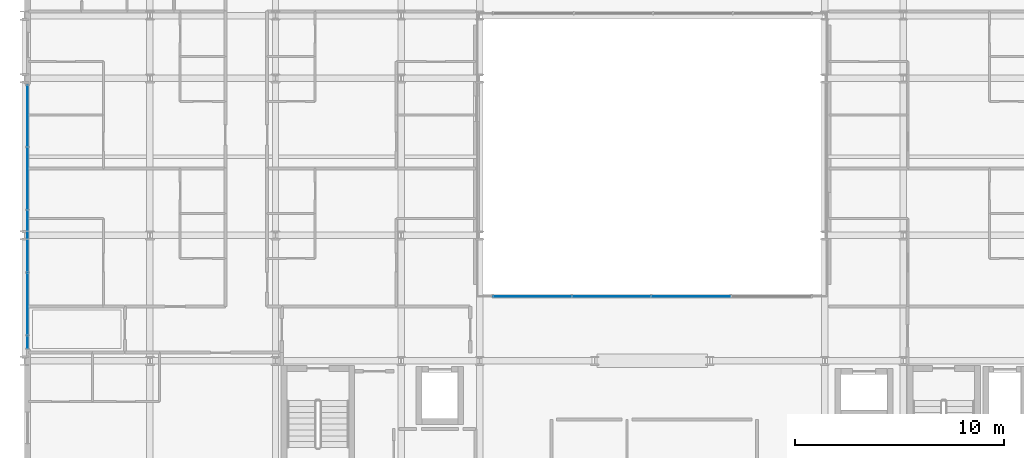
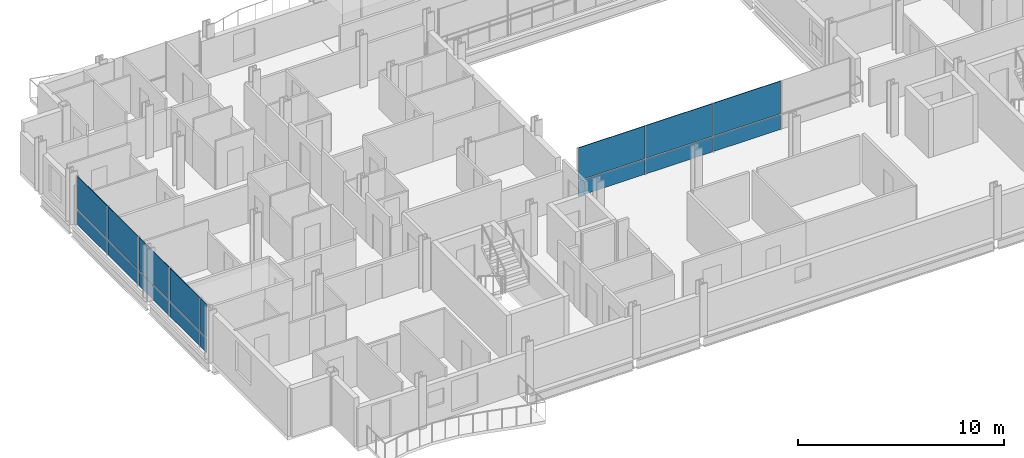
# One storey, part 26 of 40: 16 plates, 2 elements without a shape of their own.
"""IFC4 building model written with IfcOpenShell, lengths in metres."""

from ifc_helpers import new_model, si_unit, direction, frame, origin, origin_2d, place, context, subcontext, project, spatial, rectangle, extrude, material, layer, layer_set, type_object, element, aggregate, save


model = new_model("IFC4")

# Units and contexts
model_context = context("Model", 3, precision=1e-05, world=origin(), true_north=direction((0.0, 1.0)))
body_context = subcontext(model_context, "Body", "Model", "MODEL_VIEW")
ifc_project = project(units=[si_unit("LENGTHUNIT", "METRE"), si_unit("AREAUNIT", "SQUARE_METRE"), si_unit("VOLUMEUNIT", "CUBIC_METRE"), si_unit("PLANEANGLEUNIT", "RADIAN"), si_unit("MASSUNIT", "GRAM", prefix="KILO")], contexts=[model_context])

# Site, building, storey
site_placement = place(None, origin())
site = spatial("IfcSite", under=ifc_project, at=site_placement, CompositionType="ELEMENT")
building_placement = place(site_placement, origin())
building = spatial("IfcBuilding", under=site, at=building_placement, Name="Brevholm Reach", CompositionType="ELEMENT")
storey_placement = place(building_placement, frame((0.0, 0.0, 80.699951171875)))
storey = spatial("IfcBuildingStorey", under=building, at=storey_placement, Name="L23", CompositionType="ELEMENT", Elevation=80.699951171875)

# Curtain wall, plates
ifc_material_1 = material(Name="Dark Anodised Aluminium 6063-T6 and Solar-Control Glass", Category="aluminium")
ifc_layer_1 = layer(ifc_material_1, 0.14990234375)
ifc_layer_set_1 = layer_set([ifc_layer_1], Name="Dark Anodised Aluminium 6063-T6 and Solar-Control Glass")
curtain_wall_type_1 = type_object("IfcCurtainWallType", Name="CW-01", PredefinedType="NOTDEFINED", material=ifc_layer_set_1)
curtain_wall_1_placement = place(storey_placement, origin())
curtain_wall_1 = element("IfcCurtainWall", 1, at=curtain_wall_1_placement, inside=storey, type_object=curtain_wall_type_1, Name="L23 Curtain Wall CW-01", PredefinedType="NOTDEFINED")
ifc_material_2 = material(Name="Dark Solar-Control Double-Glazed IGU Glass", Category="glass")
ifc_layer_2 = layer(ifc_material_2, 0.028076171875)
ifc_layer_set_2 = layer_set([ifc_layer_2], Name="Dark Solar-Control Double-Glazed IGU Glass")
plate_type_1 = type_object("IfcPlateType", Name="CWP-GLZ-28", PredefinedType="CURTAIN_PANEL", material=ifc_layer_set_2)
plate_1_placement = place(storey_placement, frame((0.14990234375, 21.703857421875, 0.0), z_axis=(0.0, 0.0, 1.0), x_axis=(0.0, -1.0, 0.0)))
plate_1 = element("IfcPlate", 2, at=plate_1_placement, type_object=plate_type_1, Name="CP-01 Glazing Panel 1.1", PredefinedType="CURTAIN_PANEL", context=body_context, shape_type="SweptSolid", body=[
    extrude(rectangle(XDim=2.902587890625, YDim=0.028076171875, at=origin_2d()), origin(), (0.0, 0.0, 1.0), 0.867431640625),
])
plate_2_placement = place(storey_placement, frame((0.14990234375, 21.703857421875, 0.9326171875), z_axis=(0.0, 0.0, 1.0), x_axis=(0.0, -1.0, 0.0)))
plate_2 = element("IfcPlate", 3, at=plate_2_placement, type_object=plate_type_1, Name="CP-01 Glazing Panel 1.2", PredefinedType="CURTAIN_PANEL", context=body_context, shape_type="SweptSolid", body=[
    extrude(rectangle(XDim=2.902587890625, YDim=0.028076171875, at=origin_2d()), origin(), (0.0, 0.0, 1.0), 1.9375),
])
plate_3_placement = place(storey_placement, frame((0.14990234375, 18.719970703125, 0.0), z_axis=(0.0, 0.0, 1.0), x_axis=(0.0, -1.0, 0.0)))
plate_3 = element("IfcPlate", 4, at=plate_3_placement, type_object=plate_type_1, Name="CP-01 Glazing Panel 2.1", PredefinedType="CURTAIN_PANEL", context=body_context, shape_type="SweptSolid", body=[
    extrude(rectangle(XDim=2.93505859375, YDim=0.028076171875, at=origin_2d()), origin(), (0.0, 0.0, 1.0), 0.867431640625),
])
plate_4_placement = place(storey_placement, frame((0.14990234375, 18.719970703125, 0.9326171875), z_axis=(0.0, 0.0, 1.0), x_axis=(0.0, -1.0, 0.0)))
plate_4 = element("IfcPlate", 5, at=plate_4_placement, type_object=plate_type_1, Name="CP-01 Glazing Panel 2.2", PredefinedType="CURTAIN_PANEL", context=body_context, shape_type="SweptSolid", body=[
    extrude(rectangle(XDim=2.93505859375, YDim=0.028076171875, at=origin_2d()), origin(), (0.0, 0.0, 1.0), 1.9375),
])
plate_5_placement = place(storey_placement, frame((0.14990234375, 15.719970703125, 0.0), z_axis=(0.0, 0.0, 1.0), x_axis=(0.0, -1.0, 0.0)))
plate_5 = element("IfcPlate", 6, at=plate_5_placement, type_object=plate_type_1, Name="CP-01 Glazing Panel 3.1", PredefinedType="CURTAIN_PANEL", context=body_context, shape_type="SweptSolid", body=[
    extrude(rectangle(XDim=2.93505859375, YDim=0.028076171875, at=origin_2d()), origin(), (0.0, 0.0, 1.0), 0.867431640625),
])
plate_6_placement = place(storey_placement, frame((0.14990234375, 15.719970703125, 0.9326171875), z_axis=(0.0, 0.0, 1.0), x_axis=(0.0, -1.0, 0.0)))
plate_6 = element("IfcPlate", 7, at=plate_6_placement, type_object=plate_type_1, Name="CP-01 Glazing Panel 3.2", PredefinedType="CURTAIN_PANEL", context=body_context, shape_type="SweptSolid", body=[
    extrude(rectangle(XDim=2.93505859375, YDim=0.028076171875, at=origin_2d()), origin(), (0.0, 0.0, 1.0), 1.9375),
])
plate_7_placement = place(storey_placement, frame((0.14990234375, 12.719970703125, 0.0), z_axis=(0.0, 0.0, 1.0), x_axis=(0.0, -1.0, 0.0)))
plate_7 = element("IfcPlate", 8, at=plate_7_placement, type_object=plate_type_1, Name="CP-01 Glazing Panel 4.1", PredefinedType="CURTAIN_PANEL", context=body_context, shape_type="SweptSolid", body=[
    extrude(rectangle(XDim=2.93505859375, YDim=0.028076171875, at=origin_2d()), origin(), (0.0, 0.0, 1.0), 0.867431640625),
])
plate_8_placement = place(storey_placement, frame((0.14990234375, 12.719970703125, 0.9326171875), z_axis=(0.0, 0.0, 1.0), x_axis=(0.0, -1.0, 0.0)))
plate_8 = element("IfcPlate", 9, at=plate_8_placement, type_object=plate_type_1, Name="CP-01 Glazing Panel 4.2", PredefinedType="CURTAIN_PANEL", context=body_context, shape_type="SweptSolid", body=[
    extrude(rectangle(XDim=2.93505859375, YDim=0.028076171875, at=origin_2d()), origin(), (0.0, 0.0, 1.0), 1.9375),
])
plate_9_placement = place(storey_placement, frame((0.14990234375, 10.9013671875, 0.0), z_axis=(0.0, 0.0, 1.0), x_axis=(0.0, -1.0, 0.0)))
plate_9 = element("IfcPlate", 10, at=plate_9_placement, type_object=plate_type_1, Name="CP-01 Glazing Panel 5.1", PredefinedType="CURTAIN_PANEL", context=body_context, shape_type="SweptSolid", body=[
    extrude(rectangle(XDim=0.572509765625, YDim=0.028076171875, at=origin_2d()), origin(), (0.0, 0.0, 1.0), 0.867431640625),
])
plate_10_placement = place(storey_placement, frame((0.14990234375, 10.9013671875, 0.9326171875), z_axis=(0.0, 0.0, 1.0), x_axis=(0.0, -1.0, 0.0)))
plate_10 = element("IfcPlate", 11, at=plate_10_placement, type_object=plate_type_1, Name="CP-01 Glazing Panel 5.2", PredefinedType="CURTAIN_PANEL", context=body_context, shape_type="SweptSolid", body=[
    extrude(rectangle(XDim=0.572509765625, YDim=0.028076171875, at=origin_2d()), origin(), (0.0, 0.0, 1.0), 1.9375),
])
aggregate(curtain_wall_1, [plate_1, plate_2, plate_3, plate_4, plate_5, plate_6, plate_7, plate_8, plate_9, plate_10])

ifc_material_3 = material(Name="Dark Anodised Aluminium 6063-T6 and Solar-Control Glass", Category="aluminium")
ifc_layer_3 = layer(ifc_material_3, 0.139892578125)
ifc_layer_set_3 = layer_set([ifc_layer_3], Name="Dark Anodised Aluminium 6063-T6 and Solar-Control Glass")
curtain_wall_type_2 = type_object("IfcCurtainWallType", Name="CW-02", PredefinedType="NOTDEFINED", material=ifc_layer_set_3)
curtain_wall_2_placement = place(storey_placement, origin())
curtain_wall_2 = element("IfcCurtainWall", 12, at=curtain_wall_2_placement, inside=storey, type_object=curtain_wall_type_2, Name="L23 Curtain Wall CW-02", PredefinedType="NOTDEFINED")
ifc_material_4 = material(Name="Low-Iron Laminated Acoustic Glass", Category="glass")
ifc_layer_4 = layer(ifc_material_4, 0.035888671875)
ifc_layer_set_4 = layer_set([ifc_layer_4], Name="Low-Iron Laminated Acoustic Glass")
plate_type_2 = type_object("IfcPlateType", Name="CWP-GLZ-36", PredefinedType="CURTAIN_PANEL", material=ifc_layer_set_4)
plate_11_placement = place(storey_placement, frame((24.264892578125, 13.080078125, 0.0), z_axis=(0.0, 0.0, 1.0), x_axis=(1.0, 0.0, 0.0)))
plate_11 = element("IfcPlate", 13, at=plate_11_placement, type_object=plate_type_2, Name="CP-02 Glazing Panel 1.1", PredefinedType="CURTAIN_PANEL", context=body_context, shape_type="SweptSolid", body=[
    extrude(rectangle(XDim=3.7099609375, YDim=0.035888671875, at=origin_2d()), origin(), (0.0, 0.0, 1.0), 0.8701171875),
])
plate_12_placement = place(storey_placement, frame((24.264892578125, 13.080078125, 0.93017578125), z_axis=(0.0, 0.0, 1.0), x_axis=(1.0, 0.0, 0.0)))
plate_12 = element("IfcPlate", 14, at=plate_12_placement, type_object=plate_type_2, Name="CP-02 Glazing Panel 1.2", PredefinedType="CURTAIN_PANEL", context=body_context, shape_type="SweptSolid", body=[
    extrude(rectangle(XDim=3.7099609375, YDim=0.035888671875, at=origin_2d()), origin(), (0.0, 0.0, 1.0), 1.93994140625),
])
plate_13_placement = place(storey_placement, frame((28.050048828125, 13.080078125, 0.0), z_axis=(0.0, 0.0, 1.0), x_axis=(1.0, 0.0, 0.0)))
plate_13 = element("IfcPlate", 15, at=plate_13_placement, type_object=plate_type_2, Name="CP-02 Glazing Panel 2.1", PredefinedType="CURTAIN_PANEL", context=body_context, shape_type="SweptSolid", body=[
    extrude(rectangle(XDim=3.739990234375, YDim=0.035888671875, at=origin_2d()), origin(), (0.0, 0.0, 1.0), 0.8701171875),
])
plate_14_placement = place(storey_placement, frame((28.050048828125, 13.080078125, 0.93017578125), z_axis=(0.0, 0.0, 1.0), x_axis=(1.0, 0.0, 0.0)))
plate_14 = element("IfcPlate", 16, at=plate_14_placement, type_object=plate_type_2, Name="CP-02 Glazing Panel 2.2", PredefinedType="CURTAIN_PANEL", context=body_context, shape_type="SweptSolid", body=[
    extrude(rectangle(XDim=3.739990234375, YDim=0.035888671875, at=origin_2d()), origin(), (0.0, 0.0, 1.0), 1.93994140625),
])
plate_15_placement = place(storey_placement, frame((31.85009765625, 13.080078125, 0.0), z_axis=(0.0, 0.0, 1.0), x_axis=(1.0, 0.0, 0.0)))
plate_15 = element("IfcPlate", 17, at=plate_15_placement, type_object=plate_type_2, Name="CP-02 Glazing Panel 3.1", PredefinedType="CURTAIN_PANEL", context=body_context, shape_type="SweptSolid", body=[
    extrude(rectangle(XDim=3.739990234375, YDim=0.035888671875, at=origin_2d()), origin(), (0.0, 0.0, 1.0), 0.8701171875),
])
plate_16_placement = place(storey_placement, frame((31.85009765625, 13.080078125, 0.93017578125), z_axis=(0.0, 0.0, 1.0), x_axis=(1.0, 0.0, 0.0)))
plate_16 = element("IfcPlate", 18, at=plate_16_placement, type_object=plate_type_2, Name="CP-02 Glazing Panel 3.2", PredefinedType="CURTAIN_PANEL", context=body_context, shape_type="SweptSolid", body=[
    extrude(rectangle(XDim=3.739990234375, YDim=0.035888671875, at=origin_2d()), origin(), (0.0, 0.0, 1.0), 1.93994140625),
])
aggregate(curtain_wall_2, [plate_11, plate_12, plate_13, plate_14, plate_15, plate_16])

save(model, "model.ifc")
